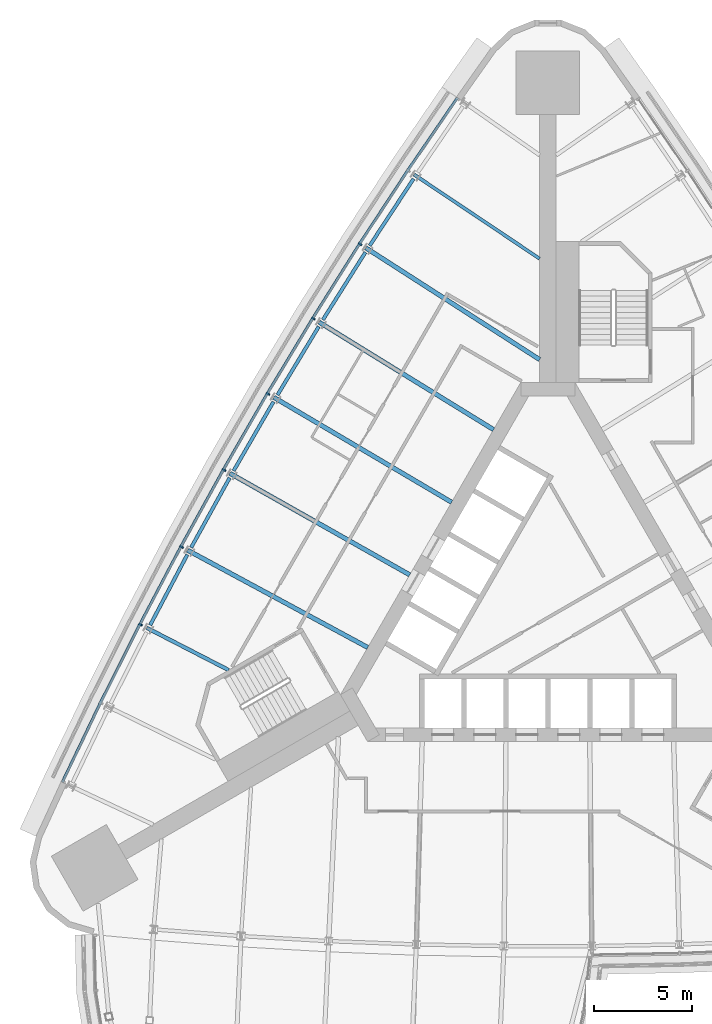
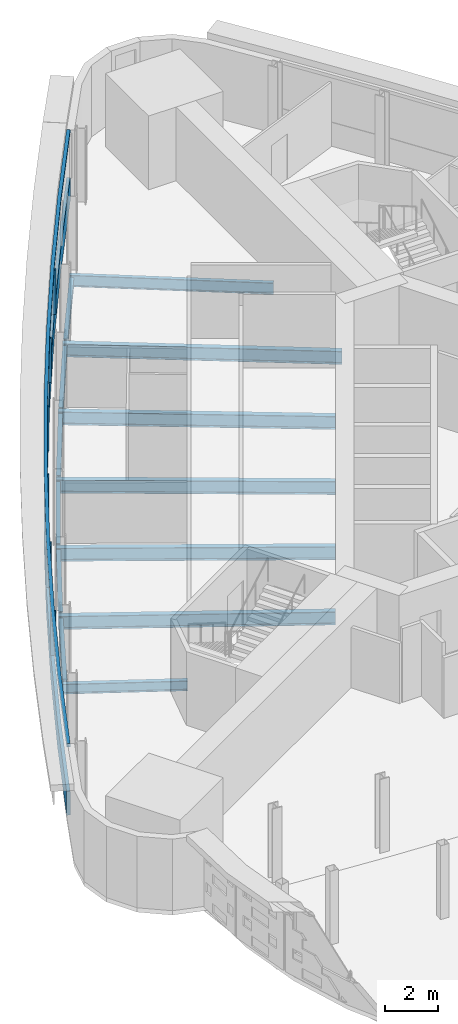
# One storey, part 6 of 16: 13 beams, 8 members, 1 element without a shape of its own.
"""IFC4 building model written with IfcOpenShell, lengths in metres."""

import ifcopenshell
import ifcopenshell.guid

model = None  # the IFC model being written
_history = None  # IfcOwnerHistory: only IFC2X3 demands one
_inside = {}  # id of a spatial element -> (the spatial element, [elements in it])
_under = {}  # id of a project, library or spatial element -> (it, [spatial elements below it])
_declared = {}  # id of a project -> (the project, [libraries it declares])
_typed = {}  # id of a type object -> (the type object, [elements of that type])
_made_of = {}  # id of a material, layer set ... -> (it, [elements and type objects made of it])


def new_model(schema):
    """Start an empty IFC model of exactly this schema.

    Asked for "IFC4X3", IfcOpenShell would pick the latest addendum, in which some entities
    have other attributes; the version numbers below select the first issue.
    IFC2X3 requires an IfcOwnerHistory on every rooted entity: one is made here for all.
    """
    global model, _history
    if schema == "IFC4X3":
        model = ifcopenshell.file(schema_version=(4, 3, 0, 0))
    else:
        model = ifcopenshell.file(schema=schema)
    _inside.clear()
    _under.clear()
    _declared.clear()
    _typed.clear()
    _made_of.clear()
    _history = None
    if model.schema == "IFC2X3":
        org = make("IfcOrganization", Name="unknown")
        user = make(
            "IfcPersonAndOrganization",
            ThePerson=make("IfcPerson", FamilyName="unknown"),
            TheOrganization=org,
        )
        app = make(
            "IfcApplication",
            ApplicationDeveloper=org,
            Version="unknown",
            ApplicationFullName="unknown",
            ApplicationIdentifier="unknown",
        )
        _history = make(
            "IfcOwnerHistory",
            OwningUser=user,
            OwningApplication=app,
            ChangeAction="ADDED",
            CreationDate=0,
        )
    return model


def make(cls, **values):
    """One entity of the class cls with the attributes given. An attribute that is None is left unset."""
    return model.create_entity(
        cls, **{name: value for name, value in values.items() if value is not None}
    )


def rooted(cls, **values):
    """An entity with a GlobalId (a new one), such as an element, a storey or a relation."""
    return make(cls, GlobalId=ifcopenshell.guid.new(), OwnerHistory=_history, **values)


def si_unit(unit_type, name, prefix=None):
    """IfcSIUnit, for example si_unit("LENGTHUNIT", "METRE", prefix="MILLI")."""
    return make("IfcSIUnit", UnitType=unit_type, Prefix=prefix, Name=name)


def assignment(units):
    """IfcUnitAssignment: the units of a project."""
    return None if units is None else make("IfcUnitAssignment", Units=units)


def point(xyz):
    """IfcCartesianPoint."""
    return None if xyz is None else make("IfcCartesianPoint", Coordinates=xyz)


def direction(xyz):
    """IfcDirection."""
    return None if xyz is None else make("IfcDirection", DirectionRatios=xyz)


def frame(location, z_axis=None, x_axis=None):
    """IfcAxis2Placement3D, a coordinate frame: its origin and axes. An axis left out is left unset."""
    return make(
        "IfcAxis2Placement3D",
        Location=point(location),
        Axis=direction(z_axis),
        RefDirection=direction(x_axis),
    )


def frame_2d(location, x_axis=None):
    """IfcAxis2Placement2D, a coordinate frame in the plane: its origin and x axis."""
    return make(
        "IfcAxis2Placement2D", Location=point(location), RefDirection=direction(x_axis)
    )


def origin():
    """The frame at (0, 0, 0) with its axes left unset."""
    return frame((0.0, 0.0, 0.0))


def origin_2d():
    """The frame at (0, 0) in the plane with its x axis left unset."""
    return frame_2d((0.0, 0.0))


def place(relative_to, where):
    """IfcLocalPlacement: puts the frame where relative to a parent placement (None: the world)."""
    return make(
        "IfcLocalPlacement", PlacementRelTo=relative_to, RelativePlacement=where
    )


def context(
    kind, dimensions, precision=None, world=None, true_north=None, identifier=None
):
    """IfcGeometricRepresentationContext, for example the 3D "Model" context."""
    return make(
        "IfcGeometricRepresentationContext",
        ContextIdentifier=identifier,
        ContextType=kind,
        CoordinateSpaceDimension=dimensions,
        Precision=precision,
        WorldCoordinateSystem=world,
        TrueNorth=true_north,
    )


def subcontext(parent, identifier, kind, view, scale=None):
    """IfcGeometricRepresentationSubContext, for example "Body" below "Model"."""
    return make(
        "IfcGeometricRepresentationSubContext",
        ContextIdentifier=identifier,
        ContextType=kind,
        ParentContext=parent,
        TargetScale=scale,
        TargetView=view,
    )


def project(units=None, contexts=None):
    """IfcProject with its units and contexts."""
    return rooted(
        "IfcProject",
        Name="project",
        RepresentationContexts=contexts,
        UnitsInContext=assignment(units),
    )


def spatial(cls, under=None, at=None, **own):
    """A site, building, storey or space (cls), placed at a placement, below another one or the project."""
    s = rooted(cls, ObjectPlacement=at, **own)
    if under is not None:
        _under.setdefault(under.id(), (under, []))[1].append(s)
    return s


def polyline(points):
    """IfcPolyline through the points."""
    return make("IfcPolyline", Points=[point(p) for p in points])


def profile(cls, at=None, kind="AREA", **sizes):
    """A parametric profile (cls). Its sizes go by their IFC names, for example OverallWidth=200.0."""
    return make(cls, ProfileType=kind, Position=at, **sizes)


def rectangle(**sizes):
    """IfcRectangleProfileDef."""
    return profile("IfcRectangleProfileDef", **sizes)


def i_section(**sizes):
    """IfcIShapeProfileDef."""
    return profile("IfcIShapeProfileDef", **sizes)


def outline(outer, holes=None, kind="AREA"):
    """IfcArbitraryClosedProfileDef: a profile drawn as a closed curve; with holes, ...WithVoids."""
    if holes is None:
        return make("IfcArbitraryClosedProfileDef", ProfileType=kind, OuterCurve=outer)
    return make(
        "IfcArbitraryProfileDefWithVoids",
        ProfileType=kind,
        OuterCurve=outer,
        InnerCurves=holes,
    )


def extrude(swept, where, along, depth):
    """IfcExtrudedAreaSolid: the profile swept, set in the frame where, extruded along a direction by depth."""
    return make(
        "IfcExtrudedAreaSolid",
        SweptArea=swept,
        Position=where,
        ExtrudedDirection=direction(along),
        Depth=depth,
    )


def shape(context_of_items, identifier, shape_type, items):
    """IfcShapeRepresentation: the items that make up one representation, for example the "Body"."""
    return make(
        "IfcShapeRepresentation",
        ContextOfItems=context_of_items,
        RepresentationIdentifier=identifier,
        RepresentationType=shape_type,
        Items=items,
    )


def material(Name=None, Category=None):
    """IfcMaterial."""
    return make("IfcMaterial", Name=Name, Category=Category)


def material_profile(
    of_material, cross_section, Name=None, Category=None, Priority=None
):
    """IfcMaterialProfile: a cross section and its material."""
    return make(
        "IfcMaterialProfile",
        Name=Name,
        Material=of_material,
        Profile=cross_section,
        Priority=Priority,
        Category=Category,
    )


def profile_set(profiles, Name=None, composite=None):
    """IfcMaterialProfileSet."""
    return make(
        "IfcMaterialProfileSet",
        Name=Name,
        MaterialProfiles=profiles,
        CompositeProfile=composite,
    )


def made_of(thing, what):
    """Note that an element or type object is made of a material, layer set ...; save() writes the relation."""
    if what is not None:
        _made_of.setdefault(what.id(), (what, []))[1].append(thing)
    return thing


def type_object(cls, material=None, **own):
    """A type object (cls), such as IfcWallType, which elements share."""
    return made_of(rooted(cls, **own), material)


def element(
    cls,
    number,
    at=None,
    inside=None,
    cuts=None,
    type_object=None,
    material=None,
    context=None,
    identifier="Body",
    shape_type=None,
    held_by="IfcProductDefinitionShape",
    body=None,
    shapes=None,
    **own,
):
    """One element of the class cls, such as IfcWall. Its Tag is "e" and its number.

    at: its placement. inside: the storey or other place that contains it. cuts: it is an
    opening in that element (IfcRelVoidsElement). A single representation is given by context,
    identifier, shape_type and body (its items); several are given by shapes. held_by: the class
    of the entity that holds the representations. save() writes the other relations.
    """
    e = rooted(cls, Tag="e%d" % number, ObjectPlacement=at, **own)
    if body is not None:
        shapes = [shape(context, identifier, shape_type, body)]
    if shapes is not None:
        e.Representation = make(held_by, Representations=shapes)
    if inside is not None:
        _inside.setdefault(inside.id(), (inside, []))[1].append(e)
    if cuts is not None:
        rooted(
            "IfcRelVoidsElement", RelatingBuildingElement=cuts, RelatedOpeningElement=e
        )
    if type_object is not None:
        _typed.setdefault(type_object.id(), (type_object, []))[1].append(e)
    return made_of(e, material)


def aggregate(whole, parts):
    """IfcRelAggregates: a whole, such as a stair, and the parts it consists of."""
    return rooted("IfcRelAggregates", RelatingObject=whole, RelatedObjects=parts)


def save(model, path):
    """Write the relations noted so far, then the file.

    IfcRelAggregates (storeys below a building ...), IfcRelContainedInSpatialStructure (elements
    in a storey), IfcRelDefinesByType, IfcRelAssociatesMaterial and IfcRelDeclares: one each for
    every whole, place, type object, material and project.
    """
    for whole, parts in _under.values():
        aggregate(whole, parts)
    for where, things in _inside.values():
        rooted(
            "IfcRelContainedInSpatialStructure",
            RelatedElements=things,
            RelatingStructure=where,
        )
    for kind, things in _typed.values():
        rooted("IfcRelDefinesByType", RelatedObjects=things, RelatingType=kind)
    for what, things in _made_of.values():
        rooted("IfcRelAssociatesMaterial", RelatedObjects=things, RelatingMaterial=what)
    for by, libraries in _declared.values():
        rooted("IfcRelDeclares", RelatingContext=by, RelatedDefinitions=libraries)
    model.write(path)


model = new_model("IFC4")

# Units and contexts
model_context = context("Model", 3, precision=1e-05, world=origin(), true_north=direction((0.0, 1.0)))
body_context = subcontext(model_context, "Body", "Model", "MODEL_VIEW")
ifc_project = project(units=[si_unit("LENGTHUNIT", "METRE"), si_unit("AREAUNIT", "SQUARE_METRE"), si_unit("VOLUMEUNIT", "CUBIC_METRE"), si_unit("PLANEANGLEUNIT", "RADIAN"), si_unit("MASSUNIT", "GRAM", prefix="KILO")], contexts=[model_context])

# Site, building, storey
site_placement = place(None, origin())
site = spatial("IfcSite", under=ifc_project, at=site_placement, CompositionType="ELEMENT")
building_placement = place(site_placement, origin())
building = spatial("IfcBuilding", under=site, at=building_placement, Name="Noor Cloister Tower", CompositionType="ELEMENT")
storey_placement = place(building_placement, frame((0.0, 0.0, 61.800048828125)))
storey = spatial("IfcBuildingStorey", under=building, at=storey_placement, Name="L15", CompositionType="ELEMENT", Elevation=61.800048828125)

# Curtain wall, members
ifc_material_1 = material(Name="Aluminium 6063-T6 anodised", Category="aluminium")
curtain_wall_type = type_object("IfcCurtainWallType", Name="Ribbon curtain wall, lower tower CW1", PredefinedType="NOTDEFINED", material=ifc_material_1)
curtain_wall_placement = place(storey_placement, origin())
curtain_wall = element("IfcCurtainWall", 1, at=curtain_wall_placement, inside=storey, type_object=curtain_wall_type, Name="CW1 L15 NW run 1", PredefinedType="NOTDEFINED")
ifc_material_2 = material(Name="Aluminium 6063-T6 anodised", Category="aluminium")
member_type_1 = type_object("IfcMemberType", Name="Head transom CW1 150", PredefinedType="USERDEFINED", material=ifc_material_2)
member_1_placement = place(storey_placement, frame((0.0, 0.0, 3.14990234375)))
member_1 = element("IfcMember", 2, at=member_1_placement, type_object=member_type_1, Name="CW1 head transom", ObjectType="TRANSOM", PredefinedType="USERDEFINED", context=body_context, shape_type="SweptSolid", body=[
    extrude(outline(polyline([(-4.683837890625, 26.05810546875), (-7.224609375, 22.343994140625), (-9.69384765625, 18.582275390625), (-12.091064453125, 14.77392578125), (-14.4150390625, 10.920654296875), (-16.6650390625, 7.0234375), (-18.840087890625, 3.084228515625), (-20.939697265625, -0.89599609375), (-22.962890625, -4.91552734375), (-24.908935546875, -8.972900390625), (-24.78271484375, -9.033447265625), (-22.837158203125, -4.97705078125), (-20.815185546875, -0.9599609375), (-18.717041015625, 3.017822265625), (-16.543212890625, 6.95458984375), (-14.29443359375, 10.849365234375), (-11.971923828125, 14.700439453125), (-9.576171875, 18.506591796875), (-7.108154296875, 22.26611328125), (-4.568115234375, 25.97900390625), (-4.683837890625, 26.05810546875)])), origin(), (0.0, 0.0, 1.0), 0.150146484375),
])
ifc_material_3 = material(Name="Aluminium 6063-T6 anodised", Category="aluminium")
ifc_material_profile_1 = material_profile(ifc_material_3, rectangle(XDim=0.199951171875, YDim=0.080078125, at=origin_2d()), Name="200 x 80 mullion")
ifc_profile_set_1 = profile_set([ifc_material_profile_1], Name="Aluminium 6063-T6 anodised")
member_type_2 = type_object("IfcMemberType", Name="Mullion CW1 80 x 200", PredefinedType="MULLION", material=ifc_profile_set_1)
member_2_placement = place(storey_placement, frame((-9.60986328125, 18.528076171875, 1.099853515625), z_axis=(0.0, 0.0, 1.0), x_axis=(0.841177373697, -0.540759305034, 0.0)))
member_2 = element("IfcMember", 3, at=member_2_placement, type_object=member_type_2, Name="CW1 mullion 3", PredefinedType="MULLION", context=body_context, shape_type="SweptSolid", body=[
    extrude(rectangle(XDim=0.199951171875, YDim=0.080078125, at=origin_2d()), origin(), (0.0, 0.0, 1.0), 2.050048828125),
])
member_3_placement = place(storey_placement, frame((-12.005859375, 14.721435546875, 1.099853515625), z_axis=(0.0, 0.0, 1.0), x_axis=(0.851349873532, -0.524598315702, 0.0)))
member_3 = element("IfcMember", 4, at=member_3_placement, type_object=member_type_2, Name="CW1 mullion 4", PredefinedType="MULLION", context=body_context, shape_type="SweptSolid", body=[
    extrude(rectangle(XDim=0.199951171875, YDim=0.080078125, at=origin_2d()), origin(), (0.0, 0.0, 1.0), 2.050048828125),
])
member_4_placement = place(storey_placement, frame((-14.328857421875, 10.86962890625, 1.099853515625), z_axis=(0.0, 0.0, 1.0), x_axis=(0.861211922396, -0.50824602775, 0.0)))
member_4 = element("IfcMember", 5, at=member_4_placement, type_object=member_type_2, Name="CW1 mullion 5", PredefinedType="MULLION", context=body_context, shape_type="SweptSolid", body=[
    extrude(rectangle(XDim=0.199951171875, YDim=0.080078125, at=origin_2d()), origin(), (0.0, 0.0, 1.0), 2.050048828125),
])
member_5_placement = place(storey_placement, frame((-16.577880859375, 6.974365234375, 1.099853515625), z_axis=(0.0, 0.0, 1.0), x_axis=(0.870759932602, -0.491708388961, 0.0)))
member_5 = element("IfcMember", 6, at=member_5_placement, type_object=member_type_2, Name="CW1 mullion 6", PredefinedType="MULLION", context=body_context, shape_type="SweptSolid", body=[
    extrude(rectangle(XDim=0.199951171875, YDim=0.080078125, at=origin_2d()), origin(), (0.0, 0.0, 1.0), 2.050048828125),
])
member_6_placement = place(storey_placement, frame((-18.752197265625, 3.03662109375, 1.099853515625), z_axis=(0.0, 0.0, 1.0), x_axis=(0.879990404946, -0.474991460136, 0.0)))
member_6 = element("IfcMember", 7, at=member_6_placement, type_object=member_type_2, Name="CW1 mullion 7", PredefinedType="MULLION", context=body_context, shape_type="SweptSolid", body=[
    extrude(rectangle(XDim=0.199951171875, YDim=0.080078125, at=origin_2d()), origin(), (0.0, 0.0, 1.0), 2.050048828125),
])
member_7_placement = place(storey_placement, frame((-20.850830078125, -0.941650390625, 1.099853515625), z_axis=(0.0, 0.0, 1.0), x_axis=(0.88889998234, -0.458101322193, 0.0)))
member_7 = element("IfcMember", 8, at=member_7_placement, type_object=member_type_2, Name="CW1 mullion 8", PredefinedType="MULLION", context=body_context, shape_type="SweptSolid", body=[
    extrude(rectangle(XDim=0.199951171875, YDim=0.080078125, at=origin_2d()), origin(), (0.0, 0.0, 1.0), 2.050048828125),
])

# Beams
ifc_material_4 = material(Name="Steel ASTM A992 Gr 50", Category="steel")
ifc_material_profile_2 = material_profile(ifc_material_4, i_section(OverallWidth=0.19091796875, OverallDepth=0.45703125, WebThickness=0.009033203125, FlangeThickness=0.014404296875, FilletRadius=0.01025390625, at=origin_2d()), Name="W460x74")
ifc_profile_set_2 = profile_set([ifc_material_profile_2], Name="Steel ASTM A992 Gr 50")
beam_type_1 = type_object("IfcBeamType", Name="Radial beam W460x74", PredefinedType="BEAM", material=ifc_profile_set_2)
beam_1_placement = place(storey_placement, frame((-20.537109375, -1.103515625, -0.428466796875), z_axis=(0.888897465963, -0.458106204939, 0.0), x_axis=(0.458106204939, 0.888897465963, 0.0)))
element("IfcBeam", 9, at=beam_1_placement, inside=storey, type_object=beam_type_1, Name="Radial beam NW 08 L15", PredefinedType="BEAM", context=body_context, shape_type="SweptSolid", body=[
    extrude(i_section(OverallWidth=0.19091796875, OverallDepth=0.45703125, WebThickness=0.009033203125, FlangeThickness=0.014404296875, FilletRadius=0.01025390625, at=origin_2d()), origin(), (0.0, 0.0, 1.0), 4.728271484375),
])
ifc_material_5 = material(Name="Steel ASTM A992 Gr 50", Category="steel")
ifc_material_profile_3 = material_profile(ifc_material_5, i_section(OverallWidth=0.166015625, OverallDepth=0.528076171875, WebThickness=0.009765625, FlangeThickness=0.013671875, FilletRadius=0.0126953125, at=origin_2d()), Name="W530x74")
ifc_profile_set_3 = profile_set([ifc_material_profile_3], Name="Steel ASTM A992 Gr 50")
beam_type_2 = type_object("IfcBeamType", Name="Radial beam W530x74", PredefinedType="BEAM", material=ifc_profile_set_3)
beam_2_placement = place(storey_placement, frame((-6.84814453125, 22.091796875, -0.464111328125), z_axis=(0.830697405227, -0.556724187501, 0.0), x_axis=(0.556724187501, 0.830697405227, 0.0)))
element("IfcBeam", 10, at=beam_2_placement, inside=storey, type_object=beam_type_2, Name="Radial beam NW 02 L15", PredefinedType="BEAM", context=body_context, shape_type="SweptSolid", body=[
    extrude(i_section(OverallWidth=0.166015625, OverallDepth=0.528076171875, WebThickness=0.009765625, FlangeThickness=0.013671875, FilletRadius=0.0126953125, at=origin_2d()), origin(), (0.0, 0.0, 1.0), 7.732177734375),
])
ifc_material_6 = material(Name="Steel ASTM A992 Gr 50", Category="steel")
ifc_material_profile_4 = material_profile(ifc_material_6, i_section(OverallWidth=0.22802734375, OverallDepth=0.60205078125, WebThickness=0.010498046875, FlangeThickness=0.014892578125, FilletRadius=0.0126953125, at=origin_2d()), Name="W610x101")
ifc_profile_set_4 = profile_set([ifc_material_profile_4], Name="Steel ASTM A992 Gr 50")
beam_type_3 = type_object("IfcBeamType", Name="Radial beam W610x101", PredefinedType="BEAM", material=ifc_profile_set_4)
beam_3_placement = place(storey_placement, frame((-9.31298828125, 18.33740234375, -0.5009765625), z_axis=(0.841170217214, -0.540770437129, 0.0), x_axis=(0.540770437129, 0.841170217214, 0.0)))
element("IfcBeam", 11, at=beam_3_placement, inside=storey, type_object=beam_type_3, Name="Radial beam NW 03 L15", PredefinedType="BEAM", context=body_context, shape_type="SweptSolid", body=[
    extrude(i_section(OverallWidth=0.22802734375, OverallDepth=0.60205078125, WebThickness=0.010498046875, FlangeThickness=0.014892578125, FilletRadius=0.0126953125, at=origin_2d()), origin(), (0.0, 0.0, 1.0), 10.566162109375),
])
beam_4_placement = place(storey_placement, frame((-11.705322265625, 14.536376953125, -0.5009765625), z_axis=(0.85134946525, -0.524598978286, 0.0), x_axis=(0.524598978286, 0.85134946525, 0.0)))
element("IfcBeam", 12, at=beam_4_placement, inside=storey, type_object=beam_type_3, Name="Radial beam NW 04 L15", PredefinedType="BEAM", context=body_context, shape_type="SweptSolid", body=[
    extrude(i_section(OverallWidth=0.22802734375, OverallDepth=0.60205078125, WebThickness=0.010498046875, FlangeThickness=0.014892578125, FilletRadius=0.0126953125, at=origin_2d()), origin(), (0.0, 0.0, 1.0), 10.4814453125),
])
beam_5_placement = place(storey_placement, frame((-14.02490234375, 10.6904296875, -0.5009765625), z_axis=(0.861210281965, -0.508248807414, 0.0), x_axis=(0.508248807414, 0.861210281965, 0.0)))
element("IfcBeam", 13, at=beam_5_placement, inside=storey, type_object=beam_type_3, Name="Radial beam NW 05 L15", PredefinedType="BEAM", context=body_context, shape_type="SweptSolid", body=[
    extrude(i_section(OverallWidth=0.22802734375, OverallDepth=0.60205078125, WebThickness=0.010498046875, FlangeThickness=0.014892578125, FilletRadius=0.0126953125, at=origin_2d()), origin(), (0.0, 0.0, 1.0), 10.5634765625),
])
beam_6_placement = place(storey_placement, frame((-16.2705078125, 6.80078125, -0.5009765625), z_axis=(0.87075647763, -0.491714507275, 0.0), x_axis=(0.491714507275, 0.87075647763, 0.0)))
element("IfcBeam", 14, at=beam_6_placement, inside=storey, type_object=beam_type_3, Name="Radial beam NW 06 L15", PredefinedType="BEAM", context=body_context, shape_type="SweptSolid", body=[
    extrude(i_section(OverallWidth=0.22802734375, OverallDepth=0.60205078125, WebThickness=0.010498046875, FlangeThickness=0.014892578125, FilletRadius=0.0126953125, at=origin_2d()), origin(), (0.0, 0.0, 1.0), 10.563232421875),
])
beam_7_placement = place(storey_placement, frame((-18.44140625, 2.869140625, -0.5009765625), z_axis=(0.879979983035, -0.475010767729, 0.0), x_axis=(0.475010767729, 0.879979983035, 0.0)))
element("IfcBeam", 15, at=beam_7_placement, inside=storey, type_object=beam_type_3, Name="Radial beam NW 07 L15", PredefinedType="BEAM", context=body_context, shape_type="SweptSolid", body=[
    extrude(i_section(OverallWidth=0.22802734375, OverallDepth=0.60205078125, WebThickness=0.010498046875, FlangeThickness=0.014892578125, FilletRadius=0.0126953125, at=origin_2d()), origin(), (0.0, 0.0, 1.0), 10.4814453125),
])

# Member
ifc_material_7 = material(Name="Aluminium 6063-T6 anodised", Category="aluminium")
member_type_3 = type_object("IfcMemberType", Name="Sill transom CW1 1100", PredefinedType="USERDEFINED", material=ifc_material_7)
member_8_placement = place(storey_placement, origin())
member_8 = element("IfcMember", 16, at=member_8_placement, type_object=member_type_3, Name="CW1 sill transom", ObjectType="TRANSOM", PredefinedType="USERDEFINED", context=body_context, shape_type="SweptSolid", body=[
    extrude(outline(polyline([(-4.683837890625, 26.05810546875), (-7.224609375, 22.343994140625), (-9.69384765625, 18.582275390625), (-12.091064453125, 14.77392578125), (-14.4150390625, 10.920654296875), (-16.6650390625, 7.0234375), (-18.840087890625, 3.084228515625), (-20.939697265625, -0.89599609375), (-22.962890625, -4.91552734375), (-24.908935546875, -8.972900390625), (-24.78271484375, -9.033447265625), (-22.837158203125, -4.97705078125), (-20.815185546875, -0.9599609375), (-18.717041015625, 3.017822265625), (-16.543212890625, 6.95458984375), (-14.29443359375, 10.849365234375), (-11.971923828125, 14.700439453125), (-9.576171875, 18.506591796875), (-7.108154296875, 22.26611328125), (-4.568115234375, 25.97900390625), (-4.683837890625, 26.05810546875)])), origin(), (0.0, 0.0, 1.0), 1.099853515625),
])

aggregate(curtain_wall, [member_2, member_3, member_4, member_5, member_6, member_7, member_8, member_1])

# Beams
ifc_material_8 = material(Name="Steel ASTM A992 Gr 50", Category="steel")
ifc_material_profile_5 = material_profile(ifc_material_8, i_section(OverallWidth=0.177978515625, OverallDepth=0.406005859375, WebThickness=0.0078125, FlangeThickness=0.0126953125, FilletRadius=0.01025390625, at=origin_2d()), Name="W410x60")
ifc_profile_set_5 = profile_set([ifc_material_profile_5], Name="Steel ASTM A992 Gr 50")
beam_type_4 = type_object("IfcBeamType", Name="Spandrel beam W410x60", PredefinedType="SPANDREL", material=ifc_profile_set_5)
beam_8_placement = place(storey_placement, frame((-6.87841796875, 21.869140625, -0.403076171875), z_axis=(-0.548742585616, -0.835991372402, 0.0), x_axis=(0.835991372402, -0.548742585616, 0.0)))
element("IfcBeam", 17, at=beam_8_placement, inside=storey, type_object=beam_type_4, Name="Spandrel beam NW 02 L15", PredefinedType="SPANDREL", context=body_context, shape_type="SweptSolid", body=[
    extrude(i_section(OverallWidth=0.177978515625, OverallDepth=0.406005859375, WebThickness=0.0078125, FlangeThickness=0.0126953125, FilletRadius=0.01025390625, at=origin_2d()), origin(), (0.0, 0.0, 1.0), 4.085693359375),
])
beam_9_placement = place(storey_placement, frame((-9.3388671875, 18.11376953125, -0.403076171875), z_axis=(-0.532719748658, -0.846291716484, 0.0), x_axis=(0.846291716484, -0.532719748658, 0.0)))
element("IfcBeam", 18, at=beam_9_placement, inside=storey, type_object=beam_type_4, Name="Spandrel beam NW 03 L15", PredefinedType="SPANDREL", context=body_context, shape_type="SweptSolid", body=[
    extrude(i_section(OverallWidth=0.177978515625, OverallDepth=0.406005859375, WebThickness=0.0078125, FlangeThickness=0.0126953125, FilletRadius=0.01025390625, at=origin_2d()), origin(), (0.0, 0.0, 1.0), 4.085205078125),
])
beam_10_placement = place(storey_placement, frame((-11.72705078125, 14.3125, -0.403076171875), z_axis=(-0.516471610202, -0.856304312646, 0.0), x_axis=(0.856304312646, -0.516471610202, 0.0)))
element("IfcBeam", 19, at=beam_10_placement, inside=storey, type_object=beam_type_4, Name="Spandrel beam NW 04 L15", PredefinedType="SPANDREL", context=body_context, shape_type="SweptSolid", body=[
    extrude(i_section(OverallWidth=0.177978515625, OverallDepth=0.406005859375, WebThickness=0.0078125, FlangeThickness=0.0126953125, FilletRadius=0.01025390625, at=origin_2d()), origin(), (0.0, 0.0, 1.0), 4.085693359375),
])
for number, where, z_axis, x_axis, name in (
    (20, (-14.04248046875, 10.466064453125, -0.403076171875), (-0.500001788232, -0.866024371346, 0.0), (0.866024371346, -0.500001788232, 0.0), "Spandrel beam NW 05 L15"),
    (21, (-16.28369140625, 6.576171875, -0.403076171875), (-0.483388526377, -0.875405924453, 0.0), (0.875405924453, -0.483388526377, 0.0), "Spandrel beam NW 06 L15"),
    (22, (-18.450439453125, 2.644287109375, -0.403076171875), (-0.466541783788, -0.884499159965, 0.0), (0.884499159965, -0.466541783788, 0.0), "Spandrel beam NW 07 L15"),
):
    element("IfcBeam", number, at=place(storey_placement, frame(where, z_axis=z_axis, x_axis=x_axis)), inside=storey, type_object=beam_type_4, Name=name, PredefinedType="SPANDREL", context=body_context, shape_type="SweptSolid", body=[
        extrude(i_section(OverallWidth=0.177978515625, OverallDepth=0.406005859375, WebThickness=0.0078125, FlangeThickness=0.0126953125, FilletRadius=0.01025390625, at=origin_2d()), origin(), (0.0, 0.0, 1.0), 4.08544921875),
    ])

save(model, "model.ifc")
